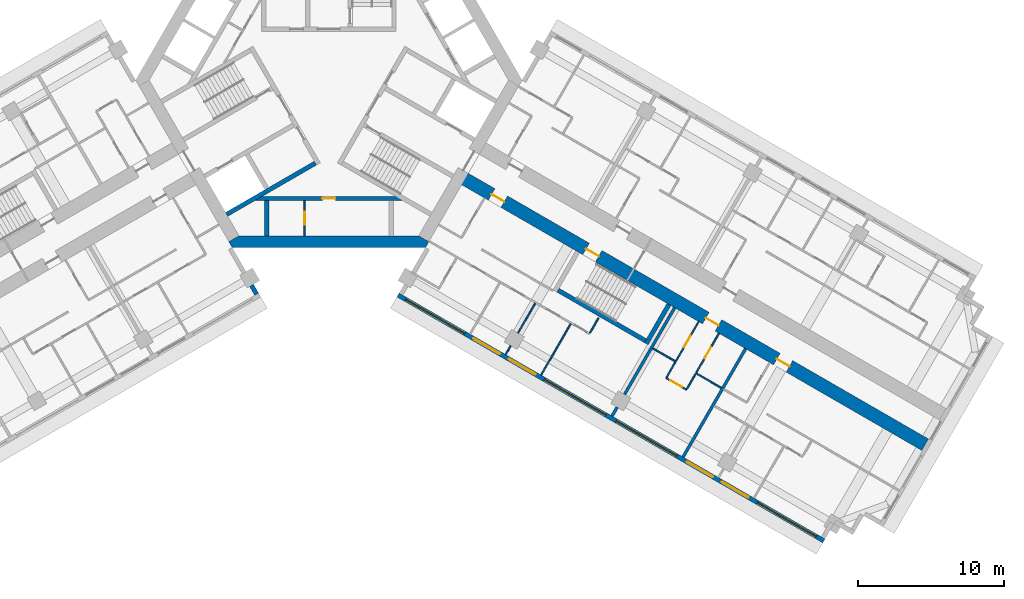
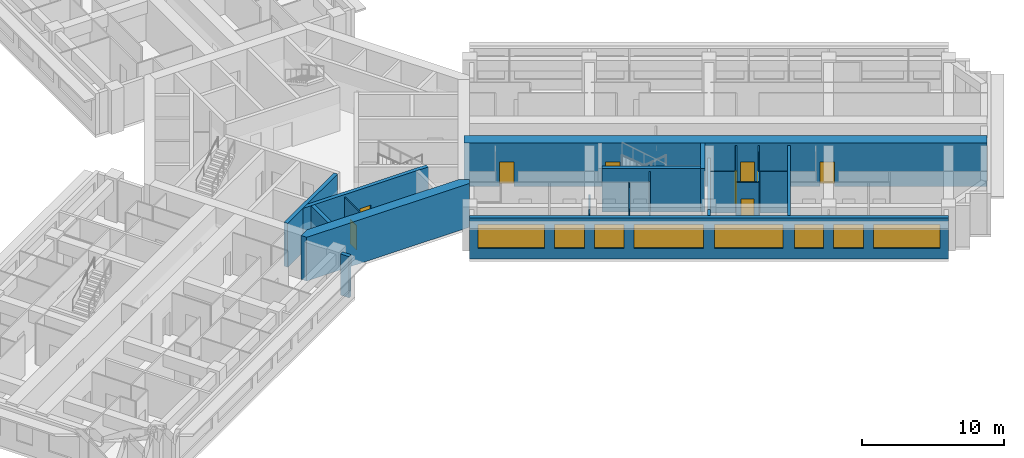
# One storey, part 5 of 13: 24 walls, 9 doors, 8 windows, 17 openings.
"""IFC4 building model written with IfcOpenShell, lengths in metres."""

from ifc_helpers import new_model, si_unit, direction, frame, frame_2d, origin, place, context, subcontext, project, spatial, polyline, rectangle, outline, extrude, material, layer, layer_set, type_object, element, fill, save


model = new_model("IFC4")

# Units and contexts
model_context = context("Model", 3, precision=1e-05, world=origin(), true_north=direction((0.0, 1.0)))
body_context = subcontext(model_context, "Body", "Model", "MODEL_VIEW")
ifc_project = project(units=[si_unit("LENGTHUNIT", "METRE"), si_unit("AREAUNIT", "SQUARE_METRE"), si_unit("VOLUMEUNIT", "CUBIC_METRE"), si_unit("PLANEANGLEUNIT", "RADIAN"), si_unit("MASSUNIT", "GRAM", prefix="KILO")], contexts=[model_context])

# Site, building, storey
site_placement = place(None, origin())
site = spatial("IfcSite", under=ifc_project, at=site_placement, CompositionType="ELEMENT")
building_placement = place(site_placement, origin())
building = spatial("IfcBuilding", under=site, at=building_placement, Name="Impinga Residences", CompositionType="ELEMENT")
storey_placement = place(building_placement, frame((0.0, 0.0, 151.0)))
storey = spatial("IfcBuildingStorey", under=building, at=storey_placement, Name="L37", CompositionType="ELEMENT", Elevation=151.0)

# Wall, openings, doors
ifc_material_1 = material(Name="Concrete C60/75", Category="concrete")
ifc_layer_1 = layer(ifc_material_1, 0.89990234375)
ifc_layer_set_1 = layer_set([ifc_layer_1], Name="Concrete C60/75")
wall_type_1 = type_object("IfcWallType", Name="BW2 corridor buttress wall, L24 to L44 900", PredefinedType="SHEAR", material=ifc_layer_set_1)
wall_1_placement = place(storey_placement, frame((8.95361328125, -6.554931640625, 0.0), z_axis=(0.0, 0.0, 1.0), x_axis=(0.866024733898, -0.500001160275, 0.0)))
wall_1 = element("IfcWall", 1, at=wall_1_placement, inside=storey, type_object=wall_type_1, Name="Corridor wall BW2 ED L37", PredefinedType="SHEAR", context=body_context, shape_type="SweptSolid", body=[
    extrude(rectangle(XDim=36.7001953125, YDim=0.89990234375, at=frame_2d((18.35009765625, 0.0))), origin(), (0.0, 0.0, 1.0), 3.75),
])
opening_1_placement = place(wall_1_placement, frame((9.949951171875, 0.0, 0.0)))
opening_1 = element("IfcOpeningElement", 2, at=opening_1_placement, cuts=wall_1, Name="Opening D5", PredefinedType="OPENING", context=body_context, shape_type="SweptSolid", body=[
    extrude(rectangle(XDim=1.0, YDim=2.10009765625, at=frame_2d((0.5, 1.050048828125))), frame((0.0, 0.4599609375, 0.0), z_axis=(0.0, -1.0, 0.0), x_axis=(1.0, 0.0, 0.0)), (0.0, 0.0, 1.0), 0.919921875),
])
opening_2_placement = place(wall_1_placement, frame((2.5, 0.0, 0.0)))
opening_2 = element("IfcOpeningElement", 3, at=opening_2_placement, cuts=wall_1, Name="Opening D1", PredefinedType="OPENING", context=body_context, shape_type="SweptSolid", body=[
    extrude(rectangle(XDim=1.0, YDim=2.10009765625, at=frame_2d((0.5, 1.050048828125))), frame((0.0, 0.4599609375, 0.0), z_axis=(0.0, -1.0, 0.0), x_axis=(1.0, 0.0, 0.0)), (0.0, 0.0, 1.0), 0.919921875),
])
opening_3_placement = place(wall_1_placement, frame((19.39990234375, 0.0, 0.0)))
opening_3 = element("IfcOpeningElement", 4, at=opening_3_placement, cuts=wall_1, Name="Opening D1", PredefinedType="OPENING", context=body_context, shape_type="SweptSolid", body=[
    extrude(rectangle(XDim=1.0, YDim=2.10009765625, at=frame_2d((0.5, 1.050048828125))), frame((0.0, 0.4599609375, 0.0), z_axis=(0.0, -1.0, 0.0), x_axis=(1.0, 0.0, 0.0)), (0.0, 0.0, 1.0), 0.919921875),
])
opening_4_placement = place(wall_1_placement, frame((25.0, 0.0, 0.0)))
opening_4 = element("IfcOpeningElement", 5, at=opening_4_placement, cuts=wall_1, Name="Opening D1", PredefinedType="OPENING", context=body_context, shape_type="SweptSolid", body=[
    extrude(rectangle(XDim=1.0, YDim=2.10009765625, at=frame_2d((0.5, 1.050048828125))), frame((0.0, 0.4599609375, 0.0), z_axis=(0.0, -1.0, 0.0), x_axis=(1.0, 0.0, 0.0)), (0.0, 0.0, 1.0), 0.919921875),
])
ifc_material_2 = material(Name="Timber door set", Category="wood")
door_type_1 = type_object("IfcDoorType", Name="D1 apartment entrance door 1000x2100", OperationType="SINGLE_SWING_LEFT", PredefinedType="DOOR", material=ifc_material_2)
door_1_placement = place(opening_2_placement, origin())
door_1 = element("IfcDoor", 6, at=door_1_placement, inside=storey, type_object=door_type_1, Name="Apartment L37-EF1 entrance", OperationType="SINGLE_SWING_LEFT", OverallHeight=2.10009765625, OverallWidth=1.0, PredefinedType="DOOR", context=body_context, shape_type="SweptSolid", body=[
    extrude(rectangle(XDim=1.0, YDim=2.10009765625, at=frame_2d((0.5, 1.050048828125))), frame((0.0, 0.02490234375, 0.0), z_axis=(0.0, -1.0, 0.0), x_axis=(1.0, 0.0, 0.0)), (0.0, 0.0, 1.0), 0.050048828125),
])
fill(opening_2, door_1)
door_2_placement = place(opening_3_placement, origin())
door_2 = element("IfcDoor", 7, at=door_2_placement, inside=storey, type_object=door_type_1, Name="Apartment L37-EF2 entrance", OperationType="SINGLE_SWING_RIGHT", OverallHeight=2.10009765625, OverallWidth=1.0, PredefinedType="DOOR", context=body_context, shape_type="SweptSolid", body=[
    extrude(rectangle(XDim=1.0, YDim=2.10009765625, at=frame_2d((0.5, 1.050048828125))), frame((0.0, 0.02490234375, 0.0), z_axis=(0.0, -1.0, 0.0), x_axis=(1.0, 0.0, 0.0)), (0.0, 0.0, 1.0), 0.050048828125),
])
fill(opening_3, door_2)
door_3_placement = place(opening_4_placement, origin())
door_3 = element("IfcDoor", 8, at=door_3_placement, inside=storey, type_object=door_type_1, Name="Apartment L37-EF3 entrance", OperationType="SINGLE_SWING_RIGHT", OverallHeight=2.10009765625, OverallWidth=1.0, PredefinedType="DOOR", context=body_context, shape_type="SweptSolid", body=[
    extrude(rectangle(XDim=1.0, YDim=2.10009765625, at=frame_2d((0.5, 1.050048828125))), frame((0.0, 0.02490234375, 0.0), z_axis=(0.0, -1.0, 0.0), x_axis=(1.0, 0.0, 0.0)), (0.0, 0.0, 1.0), 0.050048828125),
])
fill(opening_4, door_3)
door_type_2 = type_object("IfcDoorType", Name="D5 stair door 1000x2100", OperationType="SINGLE_SWING_LEFT", PredefinedType="DOOR", material=ifc_material_2)
door_4_placement = place(opening_1_placement, origin())
door_4 = element("IfcDoor", 9, at=door_4_placement, inside=storey, type_object=door_type_2, Name="Wing stair door E", OperationType="SINGLE_SWING_LEFT", OverallHeight=2.10009765625, OverallWidth=1.0, PredefinedType="DOOR", context=body_context, shape_type="SweptSolid", body=[
    extrude(rectangle(XDim=1.0, YDim=2.10009765625, at=frame_2d((0.5, 1.050048828125))), frame((0.0, 0.02490234375, 0.0), z_axis=(0.0, -1.0, 0.0), x_axis=(1.0, 0.0, 0.0)), (0.0, 0.0, 1.0), 0.050048828125),
])
fill(opening_1, door_4)

# Wall, opening, door
ifc_material_3 = material(Name="Concrete blockwork", Category="masonry")
ifc_layer_2 = layer(ifc_material_3, 0.10009765625)
ifc_layer_set_2 = layer_set([ifc_layer_2], Name="CP1 core room partition, blockwork 100")
wall_type_2 = type_object("IfcWallType", Name="CP1 core room partition, blockwork 100", PredefinedType="PARTITIONING", material=ifc_layer_set_2)
wall_2_placement = place(storey_placement, frame((-1.64990234375, -8.2314453125, 0.0), z_axis=(0.0, 0.0, 1.0), x_axis=(0.0, -1.0, 0.0)))
wall_2 = element("IfcWall", 10, at=wall_2_placement, inside=storey, type_object=wall_type_2, Name="Core room partition, blockwork L37:CORE:low:ZP1", PredefinedType="PARTITIONING", context=body_context, shape_type="SweptSolid", body=[
    extrude(rectangle(XDim=2.400146484375, YDim=0.10009765625, at=frame_2d((1.2001953125, 0.0))), origin(), (0.0, 0.0, 1.0), 3.530029296875),
])
opening_5_placement = place(wall_2_placement, frame((0.75, 0.0, 0.0)))
opening_5 = element("IfcOpeningElement", 11, at=opening_5_placement, cuts=wall_2, Name="Opening D6", PredefinedType="OPENING", context=body_context, shape_type="SweptSolid", body=[
    extrude(rectangle(XDim=0.89990234375, YDim=2.10009765625, at=frame_2d((0.449951171875, 1.050048828125))), frame((0.0, 0.06005859375, 0.0), z_axis=(0.0, -1.0, 0.0), x_axis=(1.0, 0.0, 0.0)), (0.0, 0.0, 1.0), 0.1201171875),
])
door_type_3 = type_object("IfcDoorType", Name="D6 riser and store door 900x2100", OperationType="SINGLE_SWING_LEFT", PredefinedType="DOOR", material=ifc_material_2)
door_5_placement = place(opening_5_placement, origin())
door_5 = element("IfcDoor", 12, at=door_5_placement, inside=storey, type_object=door_type_3, Name="Residents' storage lockers door", OperationType="SINGLE_SWING_LEFT", OverallHeight=2.10009765625, OverallWidth=0.89990234375, PredefinedType="DOOR", context=body_context, shape_type="SweptSolid", body=[
    extrude(rectangle(XDim=0.89990234375, YDim=2.10009765625, at=frame_2d((0.449951171875, 1.050048828125))), frame((0.0, 0.02490234375, 0.0), z_axis=(0.0, -1.0, 0.0), x_axis=(1.0, 0.0, 0.0)), (0.0, 0.0, 1.0), 0.050048828125),
])
fill(opening_5, door_5)

# Wall, openings, windows
ifc_material_4 = material(Name="Terracotta rainscreen on blockwork", Category="masonry")
ifc_layer_3 = layer(ifc_material_4, 0.300048828125)
ifc_layer_set_3 = layer_set([ifc_layer_3], Name="EW1 external wall, terracotta rainscreen on blockwork 300")
wall_type_3 = type_object("IfcWallType", Name="EW1 external wall, terracotta rainscreen on blockwork 300", PredefinedType="SOLIDWALL", material=ifc_layer_set_3)
wall_3_placement = place(storey_placement, frame((33.823486328125, -31.479248046875, 0.0), z_axis=(0.0, 0.0, 1.0), x_axis=(-0.866024291668, 0.500001926238, 0.0)))
wall_3 = element("IfcWall", 13, at=wall_3_placement, inside=storey, type_object=wall_type_3, Name="External wall EW1 L37", PredefinedType="SOLIDWALL", context=body_context, shape_type="SweptSolid", body=[
    extrude(rectangle(XDim=33.599853515625, YDim=0.300048828125, at=frame_2d((16.7998046875, 0.0))), origin(), (0.0, 0.0, 1.0), 3.530029296875),
])
opening_6_placement = place(wall_3_placement, frame((0.60009765625, 0.0, 0.89990234375)))
opening_6 = element("IfcOpeningElement", 14, at=opening_6_placement, cuts=wall_3, Name="Opening W10", PredefinedType="OPENING", context=body_context, shape_type="SweptSolid", body=[
    extrude(rectangle(XDim=4.64990234375, YDim=2.050048828125, at=frame_2d((2.324951171875, 1.02490234375))), frame((0.0, 0.159912109375, 0.0), z_axis=(0.0, -1.0, 0.0), x_axis=(1.0, 0.0, 0.0)), (0.0, 0.0, 1.0), 0.320068359375),
])
opening_7_placement = place(wall_3_placement, frame((5.949951171875, 0.0, 0.89990234375)))
opening_7 = element("IfcOpeningElement", 15, at=opening_7_placement, cuts=wall_3, Name="Opening W9", PredefinedType="OPENING", context=body_context, shape_type="SweptSolid", body=[
    extrude(rectangle(XDim=2.10009765625, YDim=2.050048828125, at=frame_2d((1.050048828125, 1.02490234375))), frame((0.0, 0.159912109375, 0.0), z_axis=(0.0, -1.0, 0.0), x_axis=(1.0, 0.0, 0.0)), (0.0, 0.0, 1.0), 0.320068359375),
])
opening_8_placement = place(wall_3_placement, frame((8.75, 0.0, 0.89990234375)))
opening_8 = element("IfcOpeningElement", 16, at=opening_8_placement, cuts=wall_3, Name="Opening W14", PredefinedType="OPENING", context=body_context, shape_type="SweptSolid", body=[
    extrude(rectangle(XDim=2.050048828125, YDim=2.050048828125, at=frame_2d((1.02490234375, 1.02490234375))), frame((0.0, 0.159912109375, 0.0), z_axis=(0.0, -1.0, 0.0), x_axis=(1.0, 0.0, 0.0)), (0.0, 0.0, 1.0), 0.320068359375),
])
opening_9_placement = place(wall_3_placement, frame((11.60009765625, 0.0, 0.89990234375)))
opening_9 = element("IfcOpeningElement", 17, at=opening_9_placement, cuts=wall_3, Name="Opening W8", PredefinedType="OPENING", context=body_context, shape_type="SweptSolid", body=[
    extrude(rectangle(XDim=4.800048828125, YDim=2.050048828125, at=frame_2d((2.39990234375, 1.02490234375))), frame((0.0, 0.159912109375, 0.0), z_axis=(0.0, -1.0, 0.0), x_axis=(1.0, 0.0, 0.0)), (0.0, 0.0, 1.0), 0.320068359375),
])
opening_10_placement = place(wall_3_placement, frame((17.199951171875, 0.0, 0.89990234375)))
opening_10 = element("IfcOpeningElement", 18, at=opening_10_placement, cuts=wall_3, Name="Opening W6", PredefinedType="OPENING", context=body_context, shape_type="SweptSolid", body=[
    extrude(rectangle(XDim=4.85009765625, YDim=2.050048828125, at=frame_2d((2.425048828125, 1.02490234375))), frame((0.0, 0.159912109375, 0.0), z_axis=(0.0, -1.0, 0.0), x_axis=(1.0, 0.0, 0.0)), (0.0, 0.0, 1.0), 0.320068359375),
])
opening_11_placement = place(wall_3_placement, frame((22.75, 0.0, 0.89990234375)))
opening_11 = element("IfcOpeningElement", 19, at=opening_11_placement, cuts=wall_3, Name="Opening W9", PredefinedType="OPENING", context=body_context, shape_type="SweptSolid", body=[
    extrude(rectangle(XDim=2.10009765625, YDim=2.050048828125, at=frame_2d((1.050048828125, 1.02490234375))), frame((0.0, 0.159912109375, 0.0), z_axis=(0.0, -1.0, 0.0), x_axis=(1.0, 0.0, 0.0)), (0.0, 0.0, 1.0), 0.320068359375),
])
opening_12_placement = place(wall_3_placement, frame((25.550048828125, 0.0, 0.89990234375)))
opening_12 = element("IfcOpeningElement", 20, at=opening_12_placement, cuts=wall_3, Name="Opening W9", PredefinedType="OPENING", context=body_context, shape_type="SweptSolid", body=[
    extrude(rectangle(XDim=2.10009765625, YDim=2.050048828125, at=frame_2d((1.050048828125, 1.02490234375))), frame((0.0, 0.159912109375, 0.0), z_axis=(0.0, -1.0, 0.0), x_axis=(1.0, 0.0, 0.0)), (0.0, 0.0, 1.0), 0.320068359375),
])
opening_13_placement = place(wall_3_placement, frame((28.35009765625, 0.0, 0.89990234375)))
opening_13 = element("IfcOpeningElement", 21, at=opening_13_placement, cuts=wall_3, Name="Opening W10", PredefinedType="OPENING", context=body_context, shape_type="SweptSolid", body=[
    extrude(rectangle(XDim=4.64990234375, YDim=2.050048828125, at=frame_2d((2.324951171875, 1.02490234375))), frame((0.0, 0.159912109375, 0.0), z_axis=(0.0, -1.0, 0.0), x_axis=(1.0, 0.0, 0.0)), (0.0, 0.0, 1.0), 0.320068359375),
])
ifc_material_5 = material(Name="Aluminium window, clear double glazing", Category="aluminium")
window_type_1 = type_object("IfcWindowType", Name="W10 ribbon window 4650x2050", PartitioningType="SINGLE_PANEL", PredefinedType="WINDOW", material=ifc_material_5)
window_1_placement = place(opening_6_placement, origin())
window_1 = element("IfcWindow", 22, at=window_1_placement, inside=storey, type_object=window_type_1, Name="Window L37", OverallHeight=2.050048828125, OverallWidth=4.64990234375, PartitioningType="SINGLE_PANEL", PredefinedType="WINDOW", context=body_context, shape_type="SweptSolid", body=[
    extrude(rectangle(XDim=4.64990234375, YDim=2.050048828125, at=frame_2d((2.324951171875, 1.02490234375))), frame((0.0, 0.030029296875, 0.0), z_axis=(0.0, -1.0, 0.0), x_axis=(1.0, 0.0, 0.0)), (0.0, 0.0, 1.0), 0.06005859375),
])
fill(opening_6, window_1)
window_2_placement = place(opening_13_placement, origin())
window_2 = element("IfcWindow", 23, at=window_2_placement, inside=storey, type_object=window_type_1, Name="Window L37", OverallHeight=2.050048828125, OverallWidth=4.64990234375, PartitioningType="SINGLE_PANEL", PredefinedType="WINDOW", context=body_context, shape_type="SweptSolid", body=[
    extrude(rectangle(XDim=4.64990234375, YDim=2.050048828125, at=frame_2d((2.324951171875, 1.02490234375))), frame((0.0, 0.030029296875, 0.0), z_axis=(0.0, -1.0, 0.0), x_axis=(1.0, 0.0, 0.0)), (0.0, 0.0, 1.0), 0.06005859375),
])
fill(opening_13, window_2)
window_type_2 = type_object("IfcWindowType", Name="W14 ribbon window 2050x2050", PartitioningType="SINGLE_PANEL", PredefinedType="WINDOW", material=ifc_material_5)
window_3_placement = place(opening_8_placement, origin())
window_3 = element("IfcWindow", 24, at=window_3_placement, inside=storey, type_object=window_type_2, Name="Window L37", OverallHeight=2.050048828125, OverallWidth=2.050048828125, PartitioningType="SINGLE_PANEL", PredefinedType="WINDOW", context=body_context, shape_type="SweptSolid", body=[
    extrude(rectangle(XDim=2.050048828125, YDim=2.050048828125, at=frame_2d((1.02490234375, 1.02490234375))), frame((0.0, 0.030029296875, 0.0), z_axis=(0.0, -1.0, 0.0), x_axis=(1.0, 0.0, 0.0)), (0.0, 0.0, 1.0), 0.06005859375),
])
fill(opening_8, window_3)
window_type_3 = type_object("IfcWindowType", Name="W6 ribbon window 4850x2050", PartitioningType="SINGLE_PANEL", PredefinedType="WINDOW", material=ifc_material_5)
window_4_placement = place(opening_10_placement, origin())
window_4 = element("IfcWindow", 25, at=window_4_placement, inside=storey, type_object=window_type_3, Name="Window L37", OverallHeight=2.050048828125, OverallWidth=4.85009765625, PartitioningType="SINGLE_PANEL", PredefinedType="WINDOW", context=body_context, shape_type="SweptSolid", body=[
    extrude(rectangle(XDim=4.85009765625, YDim=2.050048828125, at=frame_2d((2.425048828125, 1.02490234375))), frame((0.0, 0.030029296875, 0.0), z_axis=(0.0, -1.0, 0.0), x_axis=(1.0, 0.0, 0.0)), (0.0, 0.0, 1.0), 0.06005859375),
])
fill(opening_10, window_4)
window_type_4 = type_object("IfcWindowType", Name="W8 ribbon window 4800x2050", PartitioningType="SINGLE_PANEL", PredefinedType="WINDOW", material=ifc_material_5)
window_5_placement = place(opening_9_placement, origin())
window_5 = element("IfcWindow", 26, at=window_5_placement, inside=storey, type_object=window_type_4, Name="Window L37", OverallHeight=2.050048828125, OverallWidth=4.800048828125, PartitioningType="SINGLE_PANEL", PredefinedType="WINDOW", context=body_context, shape_type="SweptSolid", body=[
    extrude(rectangle(XDim=4.800048828125, YDim=2.050048828125, at=frame_2d((2.39990234375, 1.02490234375))), frame((0.0, 0.030029296875, 0.0), z_axis=(0.0, -1.0, 0.0), x_axis=(1.0, 0.0, 0.0)), (0.0, 0.0, 1.0), 0.06005859375),
])
fill(opening_9, window_5)
window_type_5 = type_object("IfcWindowType", Name="W9 ribbon window 2100x2050", PartitioningType="SINGLE_PANEL", PredefinedType="WINDOW", material=ifc_material_5)
window_6_placement = place(opening_7_placement, origin())
window_6 = element("IfcWindow", 27, at=window_6_placement, inside=storey, type_object=window_type_5, Name="Window L37", OverallHeight=2.050048828125, OverallWidth=2.10009765625, PartitioningType="SINGLE_PANEL", PredefinedType="WINDOW", context=body_context, shape_type="SweptSolid", body=[
    extrude(rectangle(XDim=2.10009765625, YDim=2.050048828125, at=frame_2d((1.050048828125, 1.02490234375))), frame((0.0, 0.030029296875, 0.0), z_axis=(0.0, -1.0, 0.0), x_axis=(1.0, 0.0, 0.0)), (0.0, 0.0, 1.0), 0.06005859375),
])
fill(opening_7, window_6)
window_7_placement = place(opening_11_placement, origin())
window_7 = element("IfcWindow", 28, at=window_7_placement, inside=storey, type_object=window_type_5, Name="Window L37", OverallHeight=2.050048828125, OverallWidth=2.10009765625, PartitioningType="SINGLE_PANEL", PredefinedType="WINDOW", context=body_context, shape_type="SweptSolid", body=[
    extrude(rectangle(XDim=2.10009765625, YDim=2.050048828125, at=frame_2d((1.050048828125, 1.02490234375))), frame((0.0, 0.030029296875, 0.0), z_axis=(0.0, -1.0, 0.0), x_axis=(1.0, 0.0, 0.0)), (0.0, 0.0, 1.0), 0.06005859375),
])
fill(opening_11, window_7)
window_8_placement = place(opening_12_placement, origin())
window_8 = element("IfcWindow", 29, at=window_8_placement, inside=storey, type_object=window_type_5, Name="Window L37", OverallHeight=2.050048828125, OverallWidth=2.10009765625, PartitioningType="SINGLE_PANEL", PredefinedType="WINDOW", context=body_context, shape_type="SweptSolid", body=[
    extrude(rectangle(XDim=2.10009765625, YDim=2.050048828125, at=frame_2d((1.050048828125, 1.02490234375))), frame((0.0, 0.030029296875, 0.0), z_axis=(0.0, -1.0, 0.0), x_axis=(1.0, 0.0, 0.0)), (0.0, 0.0, 1.0), 0.06005859375),
])
fill(opening_12, window_8)

# Walls
wall_4_placement = place(storey_placement, frame((-5.27978515625, -14.01806640625, 0.0), z_axis=(0.0, 0.0, 1.0), x_axis=(0.499853302173, -0.866110083249, 0.0)))
element("IfcWall", 30, at=wall_4_placement, inside=storey, type_object=wall_type_3, Name="External wall EW1 L37", PredefinedType="SOLIDWALL", context=body_context, shape_type="SweptSolid", body=[
    extrude(rectangle(XDim=0.699951171875, YDim=0.300048828125, at=frame_2d((0.35009765625, 0.0))), origin(), (0.0, 0.0, 1.0), 3.530029296875),
])
ifc_material_6 = material(Name="Gypsum board on steel studs", Category="steel")
ifc_layer_4 = layer(ifc_material_6, 0.10009765625)
ifc_layer_set_4 = layer_set([ifc_layer_4], Name="Gypsum board on steel studs")
wall_type_4 = type_object("IfcWallType", Name="IP1 partition 100", PredefinedType="PARTITIONING", material=ifc_layer_set_4)
wall_5_placement = place(storey_placement, frame((18.43017578125, -16.240966796875, 0.0), z_axis=(0.0, 0.0, 1.0), x_axis=(-0.499880961361, -0.866094119867, 0.0)))
element("IfcWall", 31, at=wall_5_placement, inside=storey, type_object=wall_type_4, Name="Partition L37-EF1:SE1", PredefinedType="PARTITIONING", context=body_context, shape_type="SweptSolid", body=[
    extrude(rectangle(XDim=1.199951171875, YDim=0.10009765625, at=frame_2d((0.60009765625, 0.0))), origin(), (0.0, 0.0, 1.0), 3.530029296875),
])
wall_6_placement = place(storey_placement, frame((14.099609375, -15.241943359375, 0.0), z_axis=(0.0, 0.0, 1.0), x_axis=(-0.500016218704, -0.866016039709, 0.0)))
element("IfcWall", 32, at=wall_6_placement, inside=storey, type_object=wall_type_4, Name="Partition L37-EF1:OB2", PredefinedType="PARTITIONING", context=body_context, shape_type="SweptSolid", body=[
    extrude(rectangle(XDim=2.35009765625, YDim=0.10009765625, at=frame_2d((1.175048828125, 0.0))), origin(), (0.0, 0.0, 1.0), 2.47998046875),
])
wall_7_placement = place(storey_placement, frame((12.424560546875, -18.14306640625, 0.0), z_axis=(0.0, 0.0, 1.0), x_axis=(-0.499853302173, -0.866110083249, 0.0)))
element("IfcWall", 33, at=wall_7_placement, inside=storey, type_object=wall_type_4, Name="Partition L37-EF1:OB2b", PredefinedType="PARTITIONING", context=body_context, shape_type="SweptSolid", body=[
    extrude(rectangle(XDim=0.699951171875, YDim=0.10009765625, at=frame_2d((0.35009765625, 0.0))), origin(), (0.0, 0.0, 1.0), 3.530029296875),
])
wall_8_placement = place(storey_placement, frame((16.5244140625, -16.641845703125, 0.0), z_axis=(0.0, 0.0, 1.0), x_axis=(-0.499990325971, -0.866030989016, 0.0)))
element("IfcWall", 34, at=wall_8_placement, inside=storey, type_object=wall_type_4, Name="Partition L37-EF1:OB3", PredefinedType="PARTITIONING", context=body_context, shape_type="SweptSolid", body=[
    extrude(rectangle(XDim=4.0498046875, YDim=0.10009765625, at=frame_2d((2.02490234375, 0.0))), origin(), (0.0, 0.0, 1.0), 3.530029296875),
])
wall_9_placement = place(storey_placement, frame((22.1357421875, -18.32275390625, 0.0), z_axis=(0.0, 0.0, 1.0), x_axis=(0.866047807691, -0.499961193289, 0.0)))
element("IfcWall", 35, at=wall_9_placement, inside=storey, type_object=wall_type_4, Name="Partition L37-EF2:DIV0", PredefinedType="PARTITIONING", context=body_context, shape_type="SweptSolid", body=[
    extrude(rectangle(XDim=1.800048828125, YDim=0.10009765625, at=frame_2d((0.89990234375, 0.0))), origin(), (0.0, 0.0, 1.0), 3.530029296875),
])
wall_10_placement = place(storey_placement, frame((25.080322265625, -20.022705078125, 0.0), z_axis=(0.0, 0.0, 1.0), x_axis=(0.866010750942, -0.50002537861, 0.0)))
element("IfcWall", 36, at=wall_10_placement, inside=storey, type_object=wall_type_4, Name="Partition L37-EF2:DIV1", PredefinedType="PARTITIONING", context=body_context, shape_type="SweptSolid", body=[
    extrude(rectangle(XDim=2.0, YDim=0.10009765625, at=frame_2d((1.0, 0.0))), origin(), (0.0, 0.0, 1.0), 3.530029296875),
])

# Wall, opening, door
wall_11_placement = place(storey_placement, frame((23.044677734375, -20.3486328125, 0.0), z_axis=(0.0, 0.0, 1.0), x_axis=(0.866094119867, -0.499880961361, 0.0)))
wall_11 = element("IfcWall", 37, at=wall_11_placement, inside=storey, type_object=wall_type_4, Name="Partition L37-EF2:STRIP", PredefinedType="PARTITIONING", context=body_context, shape_type="SweptSolid", body=[
    extrude(rectangle(XDim=1.60009765625, YDim=0.10009765625, at=frame_2d((0.800048828125, 0.0))), origin(), (0.0, 0.0, 1.0), 3.530029296875),
])
opening_14_placement = place(wall_11_placement, frame((0.35009765625, 0.0, 0.0)))
opening_14 = element("IfcOpeningElement", 38, at=opening_14_placement, cuts=wall_11, Name="Opening D2", PredefinedType="OPENING", context=body_context, shape_type="SweptSolid", body=[
    extrude(rectangle(XDim=0.89990234375, YDim=2.10009765625, at=frame_2d((0.449951171875, 1.050048828125))), frame((0.0, 0.06005859375, 0.0), z_axis=(0.0, -1.0, 0.0), x_axis=(1.0, 0.0, 0.0)), (0.0, 0.0, 1.0), 0.1201171875),
])
door_type_4 = type_object("IfcDoorType", Name="D2 internal door 900x2100", OperationType="SINGLE_SWING_LEFT", PredefinedType="DOOR", material=ifc_material_2)
door_6_placement = place(opening_14_placement, origin())
door_6 = element("IfcDoor", 39, at=door_6_placement, inside=storey, type_object=door_type_4, Name="Apartment L37-EF2 room door", OperationType="SINGLE_SWING_LEFT", OverallHeight=2.10009765625, OverallWidth=0.89990234375, PredefinedType="DOOR", context=body_context, shape_type="SweptSolid", body=[
    extrude(rectangle(XDim=0.89990234375, YDim=2.10009765625, at=frame_2d((0.449951171875, 1.050048828125))), frame((0.0, 0.02490234375, 0.0), z_axis=(0.0, -1.0, 0.0), x_axis=(1.0, 0.0, 0.0)), (0.0, 0.0, 1.0), 0.050048828125),
])
fill(opening_14, door_6)

# Walls
for number, where, z_axis, x_axis, name in (
    (40, (23.669677734375, -19.265869140625, 0.0), (0.0, 0.0, 1.0), (-0.500033551112, -0.866006032174, 0.0), "Partition L37-EF2:SE0"),
    (41, (25.055419921875, -20.06591796875, 0.0), (0.0, 0.0, 1.0), (-0.500033551112, -0.866006032174, 0.0), "Partition L37-EF2:SE1"),
):
    element("IfcWall", number, at=place(storey_placement, frame(where, z_axis=z_axis, x_axis=x_axis)), inside=storey, type_object=wall_type_4, Name=name, PredefinedType="PARTITIONING", context=body_context, shape_type="SweptSolid", body=[
        extrude(rectangle(XDim=1.2001953125, YDim=0.10009765625, at=frame_2d((0.60009765625, 0.0))), origin(), (0.0, 0.0, 1.0), 3.530029296875),
    ])

# Wall, opening, door
wall_12_placement = place(storey_placement, frame((25.269775390625, -16.49462890625, 0.0), z_axis=(0.0, 0.0, 1.0), x_axis=(-0.49999285859, -0.86602952684, 0.0)))
wall_12 = element("IfcWall", 42, at=wall_12_placement, inside=storey, type_object=wall_type_4, Name="Partition L37-EF2:IB1", PredefinedType="PARTITIONING", context=body_context, shape_type="SweptSolid", body=[
    extrude(rectangle(XDim=3.10009765625, YDim=0.10009765625, at=frame_2d((1.550048828125, 0.0))), origin(), (0.0, 0.0, 1.0), 3.530029296875),
])
opening_15_placement = place(wall_12_placement, frame((1.10009765625, 0.0, 0.0)))
opening_15 = element("IfcOpeningElement", 43, at=opening_15_placement, cuts=wall_12, Name="Opening D2", PredefinedType="OPENING", context=body_context, shape_type="SweptSolid", body=[
    extrude(rectangle(XDim=0.89990234375, YDim=2.10009765625, at=frame_2d((0.449951171875, 1.050048828125))), frame((0.0, 0.06005859375, 0.0), z_axis=(0.0, -1.0, 0.0), x_axis=(1.0, 0.0, 0.0)), (0.0, 0.0, 1.0), 0.1201171875),
])
door_7_placement = place(opening_15_placement, origin())
door_7 = element("IfcDoor", 44, at=door_7_placement, inside=storey, type_object=door_type_4, Name="Apartment L37-EF2 bathroom door", OperationType="SINGLE_SWING_LEFT", OverallHeight=2.10009765625, OverallWidth=0.89990234375, PredefinedType="DOOR", context=body_context, shape_type="SweptSolid", body=[
    extrude(rectangle(XDim=0.89990234375, YDim=2.10009765625, at=frame_2d((0.449951171875, 1.050048828125))), frame((0.0, 0.02490234375, 0.0), z_axis=(0.0, -1.0, 0.0), x_axis=(1.0, 0.0, 0.0)), (0.0, 0.0, 1.0), 0.050048828125),
])
fill(opening_15, door_7)

wall_13_placement = place(storey_placement, frame((26.6552734375, -17.294677734375, 0.0), z_axis=(0.0, 0.0, 1.0), x_axis=(-0.49999285859, -0.86602952684, 0.0)))
wall_13 = element("IfcWall", 45, at=wall_13_placement, inside=storey, type_object=wall_type_4, Name="Partition L37-EF2:IB2", PredefinedType="PARTITIONING", context=body_context, shape_type="SweptSolid", body=[
    extrude(rectangle(XDim=3.10009765625, YDim=0.10009765625, at=frame_2d((1.550048828125, 0.0))), origin(), (0.0, 0.0, 1.0), 3.530029296875),
])
opening_16_placement = place(wall_13_placement, frame((1.10009765625, 0.0, 0.0)))
opening_16 = element("IfcOpeningElement", 46, at=opening_16_placement, cuts=wall_13, Name="Opening D2", PredefinedType="OPENING", context=body_context, shape_type="SweptSolid", body=[
    extrude(rectangle(XDim=0.89990234375, YDim=2.10009765625, at=frame_2d((0.449951171875, 1.050048828125))), frame((0.0, 0.06005859375, 0.0), z_axis=(0.0, -1.0, 0.0), x_axis=(1.0, 0.0, 0.0)), (0.0, 0.0, 1.0), 0.1201171875),
])
door_8_placement = place(opening_16_placement, origin())
door_8 = element("IfcDoor", 47, at=door_8_placement, inside=storey, type_object=door_type_4, Name="Apartment L37-EF2 WC door", OperationType="SINGLE_SWING_LEFT", OverallHeight=2.10009765625, OverallWidth=0.89990234375, PredefinedType="DOOR", context=body_context, shape_type="SweptSolid", body=[
    extrude(rectangle(XDim=0.89990234375, YDim=2.10009765625, at=frame_2d((0.449951171875, 1.050048828125))), frame((0.0, 0.02490234375, 0.0), z_axis=(0.0, -1.0, 0.0), x_axis=(1.0, 0.0, 0.0)), (0.0, 0.0, 1.0), 0.050048828125),
])
fill(opening_16, door_8)

# Walls
ifc_layer_5 = layer(ifc_material_3, 0.199951171875)
ifc_layer_set_5 = layer_set([ifc_layer_5], Name="PW1 party wall between apartments 200")
wall_type_5 = type_object("IfcWallType", Name="PW1 party wall between apartments 200", PredefinedType="SOLIDWALL", material=ifc_layer_set_5)
wall_14_placement = place(storey_placement, frame((23.624267578125, -15.544677734375, 0.0), z_axis=(0.0, 0.0, 1.0), x_axis=(-0.499999086063, -0.866025931445, 0.0)))
element("IfcWall", 48, at=wall_14_placement, inside=storey, type_object=wall_type_5, Name="Party wall between apartments L37-EF1:PARTY", PredefinedType="SOLIDWALL", context=body_context, shape_type="SweptSolid", body=[
    extrude(rectangle(XDim=6.85009765625, YDim=0.199951171875, at=frame_2d((3.425048828125, 0.0))), origin(), (0.0, 0.0, 1.0), 2.47998046875),
])
wall_15_placement = place(storey_placement, frame((19.69921875, -22.343017578125, 0.0), z_axis=(0.0, 0.0, 1.0), x_axis=(-0.500114896893, -0.865959057869, 0.0)))
element("IfcWall", 49, at=wall_15_placement, inside=storey, type_object=wall_type_5, Name="Party wall between apartments L37-EF1:PARTYb", PredefinedType="SOLIDWALL", context=body_context, shape_type="SweptSolid", body=[
    extrude(rectangle(XDim=0.699951171875, YDim=0.199951171875, at=frame_2d((0.35009765625, 0.0))), origin(), (0.0, 0.0, 1.0), 3.530029296875),
])
wall_16_placement = place(storey_placement, frame((28.473876953125, -18.3447265625, 0.0), z_axis=(0.0, 0.0, 1.0), x_axis=(-0.499990227581, -0.86603104582, 0.0)))
element("IfcWall", 50, at=wall_16_placement, inside=storey, type_object=wall_type_5, Name="Party wall between apartments L37-EF2:PARTY", PredefinedType="SOLIDWALL", context=body_context, shape_type="SweptSolid", body=[
    extrude(rectangle(XDim=8.550048828125, YDim=0.199951171875, at=frame_2d((4.27490234375, 0.0))), origin(), (0.0, 0.0, 1.0), 3.530029296875),
])
ifc_layer_6 = layer(ifc_material_1, 0.300048828125)
ifc_layer_set_6 = layer_set([ifc_layer_6], Name="Concrete C60/75")
wall_type_6 = type_object("IfcWallType", Name="SE1 wing stair enclosure wall 300", PredefinedType="SOLIDWALL", material=ifc_layer_set_6)
wall_17_placement = place(storey_placement, frame((23.234619140625, -15.31982421875, 0.0), z_axis=(0.0, 0.0, 1.0), x_axis=(-0.500026960575, -0.86600983753, 0.0)))
element("IfcWall", 51, at=wall_17_placement, inside=storey, type_object=wall_type_6, Name="Stair enclosure wall SE1 E END1 L37", PredefinedType="SOLIDWALL", context=body_context, shape_type="SweptSolid", body=[
    extrude(rectangle(XDim=3.099853515625, YDim=0.300048828125, at=frame_2d((1.5498046875, 0.0))), origin(), (0.0, 0.0, 1.0), 3.75),
])
wall_18_placement = place(storey_placement, frame((15.654052734375, -14.349365234375, 0.0), z_axis=(0.0, 0.0, 1.0), x_axis=(0.866013532718, -0.500020560727, 0.0)))
element("IfcWall", 52, at=wall_18_placement, inside=storey, type_object=wall_type_6, Name="Stair enclosure wall SE1 E OUT L37", PredefinedType="SOLIDWALL", context=body_context, shape_type="SweptSolid", body=[
    extrude(rectangle(XDim=6.900146484375, YDim=0.300048828125, at=frame_2d((3.4501953125, 0.0))), origin(), (0.0, 0.0, 1.0), 3.75),
])
ifc_layer_7 = layer(ifc_material_1, 0.800048828125)
ifc_layer_set_7 = layer_set([ifc_layer_7], Name="Concrete C60/75")
wall_type_7 = type_object("IfcWallType", Name="SW2 core wall 800", PredefinedType="SHEAR", material=ifc_layer_set_7)
wall_19_placement = place(storey_placement, origin())
element("IfcWall", 53, at=wall_19_placement, inside=storey, type_object=wall_type_7, Name="Core wall SW2 N:EXPOSED L37", PredefinedType="SHEAR", context=body_context, shape_type="SweptSolid", body=[
    extrude(outline(polyline([(-6.60009765625, -11.431640625), (6.60009765625, -11.431640625), (6.8310546875, -11.031494140625), (6.13818359375, -10.631591796875), (-6.13818359375, -10.631591796875), (-6.8310546875, -11.031494140625), (-6.60009765625, -11.431640625)])), origin(), (0.0, 0.0, 1.0), 3.75),
])
ifc_material_7 = material(Name="Concrete C70/85", Category="concrete")
ifc_layer_8 = layer(ifc_material_7, 0.300048828125)
ifc_layer_set_8 = layer_set([ifc_layer_8], Name="Concrete C70/85")
wall_type_8 = type_object("IfcWallType", Name="SW5 core inner wall, stairs, shafts and lobbies 300", PredefinedType="SHEAR", material=ifc_layer_set_8)
wall_20_placement = place(storey_placement, frame((-0.918701171875, -5.668701171875, 0.0), z_axis=(0.0, 0.0, 1.0), x_axis=(-0.866011380966, -0.500024287448, 0.0)))
element("IfcWall", 54, at=wall_20_placement, inside=storey, type_object=wall_type_8, Name="Core wall SW5 W:FF-OUT L37", PredefinedType="SHEAR", context=body_context, shape_type="SweptSolid", body=[
    extrude(rectangle(XDim=7.001708984375, YDim=0.300048828125, at=frame_2d((3.5009765625, 0.0))), origin(), (0.0, 0.0, 1.0), 3.75),
])

# Wall, opening, door
wall_21_placement = place(storey_placement, frame((5.09765625, -8.08154296875, 0.0), z_axis=(0.0, 0.0, 1.0), x_axis=(-1.0, 0.0, 0.0)))
wall_21 = element("IfcWall", 55, at=wall_21_placement, inside=storey, type_object=wall_type_8, Name="Core wall SW5 N:BANK-FRONT L37", PredefinedType="SHEAR", context=body_context, shape_type="SweptSolid", body=[
    extrude(rectangle(XDim=10.1953125, YDim=0.300048828125, at=frame_2d((5.09765625, 0.0))), origin(), (0.0, 0.0, 1.0), 3.75),
])
opening_17_placement = place(wall_21_placement, frame((4.647705078125, 0.0, 0.0)))
opening_17 = element("IfcOpeningElement", 56, at=opening_17_placement, cuts=wall_21, Name="Opening D6", PredefinedType="OPENING", context=body_context, shape_type="SweptSolid", body=[
    extrude(rectangle(XDim=0.89990234375, YDim=2.10009765625, at=frame_2d((0.449951171875, 1.050048828125))), frame((0.0, 0.159912109375, 0.0), z_axis=(0.0, -1.0, 0.0), x_axis=(1.0, 0.0, 0.0)), (0.0, 0.0, 1.0), 0.320068359375),
])
door_9_placement = place(opening_17_placement, origin())
door_9 = element("IfcDoor", 57, at=door_9_placement, inside=storey, type_object=door_type_3, Name="Residents' study door", OperationType="SINGLE_SWING_LEFT", OverallHeight=2.10009765625, OverallWidth=0.89990234375, PredefinedType="DOOR", context=body_context, shape_type="SweptSolid", body=[
    extrude(rectangle(XDim=0.89990234375, YDim=2.10009765625, at=frame_2d((0.449951171875, 1.050048828125))), frame((0.0, 0.02490234375, 0.0), z_axis=(0.0, -1.0, 0.0), x_axis=(1.0, 0.0, 0.0)), (0.0, 0.0, 1.0), 0.050048828125),
])
fill(opening_17, door_9)

# Wall
wall_22_placement = place(storey_placement, frame((-4.25, -8.2314453125, 0.0), z_axis=(0.0, 0.0, 1.0), x_axis=(0.0, -1.0, 0.0)))
element("IfcWall", 58, at=wall_22_placement, inside=storey, type_object=wall_type_8, Name="Core wall SW5 N:BANK-R L37", PredefinedType="SHEAR", context=body_context, shape_type="SweptSolid", body=[
    extrude(rectangle(XDim=2.400146484375, YDim=0.300048828125, at=frame_2d((1.2001953125, 0.0))), origin(), (0.0, 0.0, 1.0), 3.75),
])

save(model, "model.ifc")
